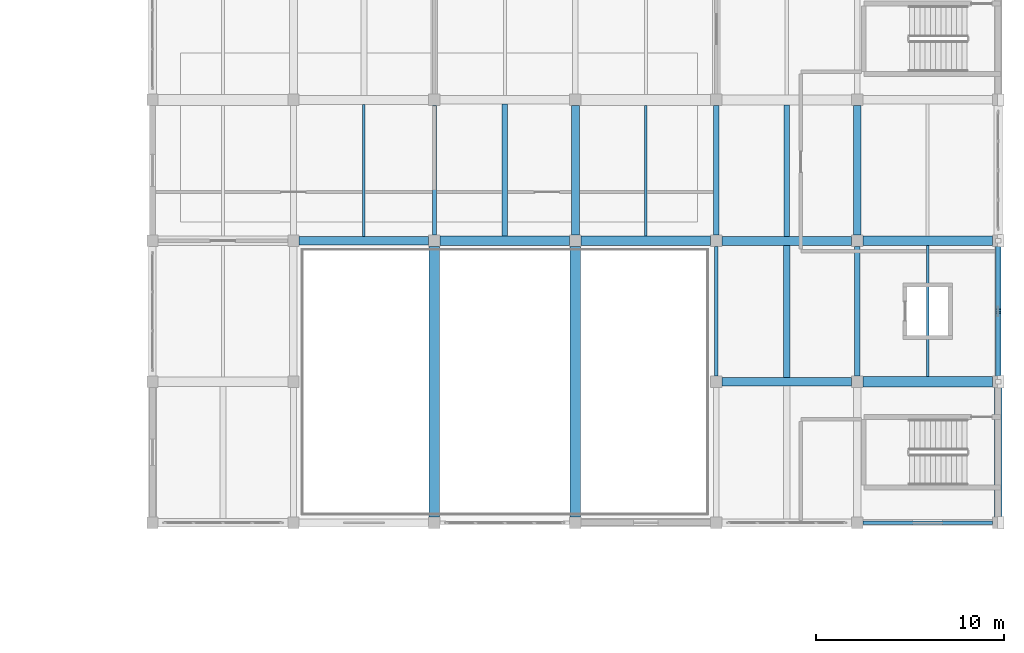
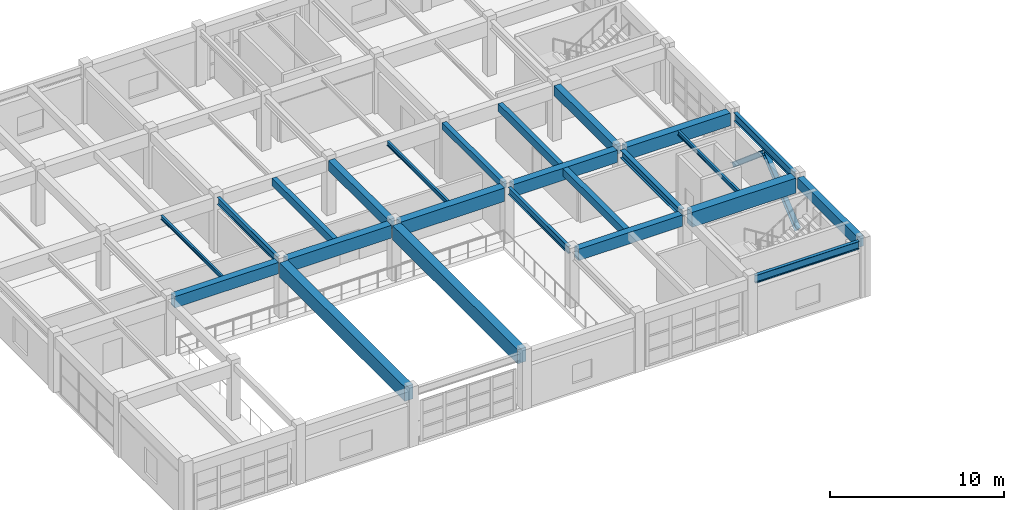
# One storey, part 70 of 124: 24 beams, 2 members.
"""IFC4 building model written with IfcOpenShell, lengths in metres."""

from ifc_helpers import new_model, si_unit, direction, frame, origin, origin_2d, place, context, subcontext, project, spatial, rectangle, i_section, extrude, material, material_profile, profile_set, type_object, element, save


model = new_model("IFC4")

# Units and contexts
model_context = context("Model", 3, precision=1e-05, world=origin(), true_north=direction((0.0, 1.0)))
body_context = subcontext(model_context, "Body", "Model", "MODEL_VIEW")
ifc_project = project(units=[si_unit("LENGTHUNIT", "METRE"), si_unit("AREAUNIT", "SQUARE_METRE"), si_unit("VOLUMEUNIT", "CUBIC_METRE"), si_unit("PLANEANGLEUNIT", "RADIAN"), si_unit("MASSUNIT", "GRAM", prefix="KILO")], contexts=[model_context])

# Site, building, storey
site_placement = place(None, origin())
site = spatial("IfcSite", under=ifc_project, at=site_placement, CompositionType="ELEMENT")
building_placement = place(site_placement, origin())
building = spatial("IfcBuilding", under=site, at=building_placement, Name="Qasida Concert Hall", CompositionType="ELEMENT")
storey_placement = place(building_placement, frame((0.0, 0.0, 9.0)))
storey = spatial("IfcBuildingStorey", under=building, at=storey_placement, Name="L02", CompositionType="ELEMENT", Elevation=9.0)

# Beams
ifc_material_1 = material(Name="Concrete C40/50", Category="concrete")
ifc_material_profile_1 = material_profile(ifc_material_1, rectangle(XDim=0.419921875, YDim=0.699951171875, at=origin_2d()), Name="RC 420x700")
ifc_profile_set_1 = profile_set([ifc_material_profile_1], Name="Concrete C40/50")
beam_type_1 = type_object("IfcBeamType", Name="BM-B11", PredefinedType="BEAM", material=ifc_profile_set_1)
for number, where, z_axis, x_axis, name in (
    (1, (142.5, 90.300048828125, 3.550048828125), (0.0, 1.0, 0.0), (-1.0, 0.0, 0.0), "L02 girder 1398"),
    (2, (157.5, 90.300048828125, 3.550048828125), (0.0, 1.0, 0.0), (-1.0, 0.0, 0.0), "L02 girder 1408"),
):
    element("IfcBeam", number, at=place(storey_placement, frame(where, z_axis=z_axis, x_axis=x_axis)), inside=storey, type_object=beam_type_1, Name=name, PredefinedType="BEAM", context=body_context, shape_type="SweptSolid", body=[
        extrude(rectangle(XDim=0.419921875, YDim=0.699951171875, at=origin_2d()), origin(), (0.0, 0.0, 1.0), 6.89990234375),
    ])
ifc_material_2 = material(Name="Steel S355J2", Category="steel")
ifc_material_profile_2 = material_profile(ifc_material_2, i_section(OverallWidth=0.300048828125, OverallDepth=0.550048828125, WebThickness=0.014892578125, FlangeThickness=0.029052734375, FilletRadius=0.027099609375, at=origin_2d()), Name="HEB 550")
ifc_profile_set_2 = profile_set([ifc_material_profile_2], Name="Steel S355J2")
beam_type_2 = type_object("IfcBeamType", Name="BM-B12", PredefinedType="BEAM", material=ifc_profile_set_2)
beam_1_placement = place(storey_placement, frame((157.5, 82.800048828125, 3.625), z_axis=(0.0, 1.0, 0.0), x_axis=(-1.0, 0.0, 0.0)))
element("IfcBeam", 3, at=beam_1_placement, inside=storey, type_object=beam_type_2, Name="L02 girder 1407", PredefinedType="BEAM", context=body_context, shape_type="SweptSolid", body=[
    extrude(i_section(OverallWidth=0.300048828125, OverallDepth=0.550048828125, WebThickness=0.014892578125, FlangeThickness=0.029052734375, FilletRadius=0.027099609375, at=origin_2d()), origin(), (0.0, 0.0, 1.0), 6.89990234375),
])
ifc_material_profile_3 = material_profile(ifc_material_1, rectangle(XDim=0.300048828125, YDim=0.449951171875, at=origin_2d()), Name="RC 300x450")
ifc_profile_set_3 = profile_set([ifc_material_profile_3], Name="Concrete C40/50")
beam_type_3 = type_object("IfcBeamType", Name="BM-B3", PredefinedType="BEAM", material=ifc_profile_set_3)
beam_2_placement = place(storey_placement, frame((150.0, 90.300048828125, 3.675048828125), z_axis=(0.0, 1.0, 0.0), x_axis=(-1.0, 0.0, 0.0)))
element("IfcBeam", 4, at=beam_2_placement, inside=storey, type_object=beam_type_3, Name="L02 girder 1403", PredefinedType="BEAM", context=body_context, shape_type="SweptSolid", body=[
    extrude(rectangle(XDim=0.300048828125, YDim=0.449951171875, at=origin_2d()), origin(), (0.0, 0.0, 1.0), 6.89990234375),
])
ifc_material_profile_4 = material_profile(ifc_material_2, i_section(OverallWidth=0.199951171875, OverallDepth=0.5, WebThickness=0.01025390625, FlangeThickness=0.01611328125, FilletRadius=0.02099609375, at=origin_2d()), Name="IPE 500")
ifc_profile_set_4 = profile_set([ifc_material_profile_4], Name="Steel S355J2")
beam_type_4 = type_object("IfcBeamType", Name="BM-B4", PredefinedType="BEAM", material=ifc_profile_set_4)
for number, where, z_axis, x_axis, name in (
    (5, (135.0, 90.300048828125, 3.64990234375), (0.0, 1.0, 0.0), (-1.0, 0.0, 0.0), "L02 girder 1394"),
    (6, (150.0, 82.800048828125, 3.64990234375), (0.0, 1.0, 0.0), (-1.0, 0.0, 0.0), "L02 girder 1402"),
):
    element("IfcBeam", number, at=place(storey_placement, frame(where, z_axis=z_axis, x_axis=x_axis)), inside=storey, type_object=beam_type_4, Name=name, PredefinedType="BEAM", context=body_context, shape_type="SweptSolid", body=[
        extrude(i_section(OverallWidth=0.199951171875, OverallDepth=0.5, WebThickness=0.01025390625, FlangeThickness=0.01611328125, FilletRadius=0.02099609375, at=origin_2d()), origin(), (0.0, 0.0, 1.0), 6.89990234375),
    ])
ifc_material_profile_5 = material_profile(ifc_material_1, rectangle(XDim=0.5, YDim=0.89990234375, at=origin_2d()), Name="RC 500x900")
ifc_profile_set_5 = profile_set([ifc_material_profile_5], Name="Concrete C40/50")
beam_type_5 = type_object("IfcBeamType", Name="BM-G1", PredefinedType="USERDEFINED", material=ifc_profile_set_5)
for number, where, z_axis, x_axis, name in (
    (7, (135.300048828125, 90.0, 3.449951171875), (1.0, 0.0, 0.0), (0.0, 1.0, 0.0), "Primary girder 1361"),
    (8, (157.800048828125, 90.0, 3.449951171875), (1.0, 0.0, 0.0), (0.0, 1.0, 0.0), "Primary girder 1364"),
):
    element("IfcBeam", number, at=place(storey_placement, frame(where, z_axis=z_axis, x_axis=x_axis)), inside=storey, type_object=beam_type_5, Name=name, ObjectType="GIRDER", PredefinedType="USERDEFINED", context=body_context, shape_type="SweptSolid", body=[
        extrude(rectangle(XDim=0.5, YDim=0.89990234375, at=origin_2d()), origin(), (0.0, 0.0, 1.0), 6.89990234375),
    ])
ifc_material_profile_6 = material_profile(ifc_material_1, rectangle(XDim=0.449951171875, YDim=0.800048828125, at=origin_2d()), Name="RC 450x800")
ifc_profile_set_6 = profile_set([ifc_material_profile_6], Name="Concrete C40/50")
beam_type_6 = type_object("IfcBeamType", Name="BM-G2", PredefinedType="USERDEFINED", material=ifc_profile_set_6)
for number, where, z_axis, x_axis, name in (
    (9, (150.300048828125, 82.5, 3.5), (1.0, 0.0, 0.0), (0.0, 1.0, 0.0), "Primary girder 1357"),
    (10, (127.800048828125, 90.0, 3.5), (1.0, 0.0, 0.0), (0.0, 1.0, 0.0), "Primary girder 1360"),
):
    element("IfcBeam", number, at=place(storey_placement, frame(where, z_axis=z_axis, x_axis=x_axis)), inside=storey, type_object=beam_type_6, Name=name, ObjectType="GIRDER", PredefinedType="USERDEFINED", context=body_context, shape_type="SweptSolid", body=[
        extrude(rectangle(XDim=0.449951171875, YDim=0.800048828125, at=origin_2d()), origin(), (0.0, 0.0, 1.0), 6.89990234375),
    ])
ifc_material_profile_7 = material_profile(ifc_material_1, rectangle(XDim=0.550048828125, YDim=1.0, at=origin_2d()), Name="RC 550x1000")
ifc_profile_set_7 = profile_set([ifc_material_profile_7], Name="Concrete C40/50")
beam_type_7 = type_object("IfcBeamType", Name="BM-G3", PredefinedType="USERDEFINED", material=ifc_profile_set_7)
for number, where, z_axis, x_axis, name in (
    (11, (135.0, 75.300048828125, 3.39990234375), (0.0, 1.0, 0.0), (-1.0, 0.0, 0.0), "L02 girder 1393"),
    (12, (142.5, 75.300048828125, 3.39990234375), (0.0, 1.0, 0.0), (-1.0, 0.0, 0.0), "L02 girder 1397"),
):
    element("IfcBeam", number, at=place(storey_placement, frame(where, z_axis=z_axis, x_axis=x_axis)), inside=storey, type_object=beam_type_7, Name=name, ObjectType="GIRDER", PredefinedType="USERDEFINED", context=body_context, shape_type="SweptSolid", body=[
        extrude(rectangle(XDim=0.550048828125, YDim=1.0, at=origin_2d()), origin(), (0.0, 0.0, 1.0), 14.39990234375),
    ])
ifc_material_profile_8 = material_profile(ifc_material_1, rectangle(XDim=0.47998046875, YDim=0.85009765625, at=origin_2d()), Name="RC 480x850")
ifc_profile_set_8 = profile_set([ifc_material_profile_8], Name="Concrete C40/50")
beam_type_8 = type_object("IfcBeamType", Name="BM-G6", PredefinedType="USERDEFINED", material=ifc_profile_set_8)
beam_3_placement = place(storey_placement, frame((150.300048828125, 90.0, 3.47509765625), z_axis=(1.0, 0.0, 0.0), x_axis=(0.0, 1.0, 0.0)))
element("IfcBeam", 13, at=beam_3_placement, inside=storey, type_object=beam_type_8, Name="Primary girder 1363", ObjectType="GIRDER", PredefinedType="USERDEFINED", context=body_context, shape_type="SweptSolid", body=[
    extrude(rectangle(XDim=0.47998046875, YDim=0.85009765625, at=origin_2d()), origin(), (0.0, 0.0, 1.0), 6.89990234375),
])
ifc_material_profile_9 = material_profile(ifc_material_1, rectangle(XDim=0.52001953125, YDim=0.949951171875, at=origin_2d()), Name="RC 520x950")
ifc_profile_set_9 = profile_set([ifc_material_profile_9], Name="Concrete C40/50")
beam_type_9 = type_object("IfcBeamType", Name="BM-G7", PredefinedType="USERDEFINED", material=ifc_profile_set_9)
beam_4_placement = place(storey_placement, frame((142.800048828125, 90.0, 3.425048828125), z_axis=(1.0, 0.0, 0.0), x_axis=(0.0, 1.0, 0.0)))
element("IfcBeam", 14, at=beam_4_placement, inside=storey, type_object=beam_type_9, Name="Primary girder 1362", ObjectType="GIRDER", PredefinedType="USERDEFINED", context=body_context, shape_type="SweptSolid", body=[
    extrude(rectangle(XDim=0.52001953125, YDim=0.949951171875, at=origin_2d()), origin(), (0.0, 0.0, 1.0), 6.89990234375),
])
ifc_material_3 = material(Name="Concrete C50/60", Category="concrete")
ifc_material_profile_10 = material_profile(ifc_material_3, rectangle(XDim=0.580078125, YDim=1.050048828125, at=origin_2d()), Name="RC 580x1050")
ifc_profile_set_10 = profile_set([ifc_material_profile_10], Name="Concrete C50/60")
beam_type_10 = type_object("IfcBeamType", Name="BM-G8", PredefinedType="USERDEFINED", material=ifc_profile_set_10)
beam_5_placement = place(storey_placement, frame((157.800048828125, 82.5, 3.375), z_axis=(1.0, 0.0, 0.0), x_axis=(0.0, 1.0, 0.0)))
element("IfcBeam", 15, at=beam_5_placement, inside=storey, type_object=beam_type_10, Name="Primary girder 1358", ObjectType="GIRDER", PredefinedType="USERDEFINED", context=body_context, shape_type="SweptSolid", body=[
    extrude(rectangle(XDim=0.580078125, YDim=1.050048828125, at=origin_2d()), origin(), (0.0, 0.0, 1.0), 6.89990234375),
])
ifc_material_profile_11 = material_profile(ifc_material_1, rectangle(XDim=0.300048828125, YDim=0.550048828125, at=origin_2d()), Name="RC 300x550")
ifc_profile_set_11 = profile_set([ifc_material_profile_11], Name="Concrete C40/50")
beam_type_11 = type_object("IfcBeamType", Name="BM-J1", PredefinedType="JOIST", material=ifc_profile_set_11)
beam_6_placement = place(storey_placement, frame((138.75, 90.25, 3.625), z_axis=(0.0, 1.0, 0.0), x_axis=(-1.0, 0.0, 0.0)))
element("IfcBeam", 16, at=beam_6_placement, inside=storey, type_object=beam_type_11, Name="L02 secondary joist 1424", PredefinedType="JOIST", context=body_context, shape_type="SweptSolid", body=[
    extrude(rectangle(XDim=0.300048828125, YDim=0.550048828125, at=origin_2d()), origin(), (0.0, 0.0, 1.0), 7.02490234375),
])
beam_7_placement = place(storey_placement, frame((153.75, 90.239990234375, 3.625), z_axis=(0.0, 1.0, 0.0), x_axis=(-1.0, 0.0, 0.0)))
element("IfcBeam", 17, at=beam_7_placement, inside=storey, type_object=beam_type_11, Name="L02 secondary joist 1432", PredefinedType="JOIST", context=body_context, shape_type="SweptSolid", body=[
    extrude(rectangle(XDim=0.300048828125, YDim=0.550048828125, at=origin_2d()), origin(), (0.0, 0.0, 1.0), 7.0),
])
ifc_material_profile_12 = material_profile(ifc_material_2, i_section(OverallWidth=0.14990234375, OverallDepth=0.300048828125, WebThickness=0.007080078125, FlangeThickness=0.0107421875, FilletRadius=0.014892578125, at=origin_2d()), Name="IPE 300")
ifc_profile_set_12 = profile_set([ifc_material_profile_12], Name="Steel S355J2")
beam_type_12 = type_object("IfcBeamType", Name="BM-J4", PredefinedType="JOIST", material=ifc_profile_set_12)
beam_8_placement = place(storey_placement, frame((146.25, 90.260009765625, 3.75), z_axis=(0.0, 1.0, 0.0), x_axis=(-1.0, 0.0, 0.0)))
element("IfcBeam", 18, at=beam_8_placement, inside=storey, type_object=beam_type_12, Name="L02 secondary joist 1427", PredefinedType="JOIST", context=body_context, shape_type="SweptSolid", body=[
    extrude(i_section(OverallWidth=0.14990234375, OverallDepth=0.300048828125, WebThickness=0.007080078125, FlangeThickness=0.0107421875, FilletRadius=0.014892578125, at=origin_2d()), origin(), (0.0, 0.0, 1.0), 6.949951171875),
])
beam_9_placement = place(storey_placement, frame((161.25, 82.7900390625, 3.75), z_axis=(0.0, 1.0, 0.0), x_axis=(-1.0, 0.0, 0.0)))
element("IfcBeam", 19, at=beam_9_placement, inside=storey, type_object=beam_type_12, Name="L02 secondary joist 1435", PredefinedType="JOIST", context=body_context, shape_type="SweptSolid", body=[
    extrude(i_section(OverallWidth=0.14990234375, OverallDepth=0.300048828125, WebThickness=0.007080078125, FlangeThickness=0.0107421875, FilletRadius=0.014892578125, at=origin_2d()), origin(), (0.0, 0.0, 1.0), 6.9599609375),
])
ifc_material_profile_13 = material_profile(ifc_material_2, i_section(OverallWidth=0.135009765625, OverallDepth=0.27001953125, WebThickness=0.006591796875, FlangeThickness=0.01025390625, FilletRadius=0.014892578125, at=origin_2d()), Name="IPE 270")
ifc_profile_set_13 = profile_set([ifc_material_profile_13], Name="Steel S355J2")
beam_type_13 = type_object("IfcBeamType", Name="BM-J6", PredefinedType="JOIST", material=ifc_profile_set_13)
beam_10_placement = place(storey_placement, frame((131.25, 90.22509765625, 3.764892578125), z_axis=(0.0, 1.0, 0.0), x_axis=(-1.0, 0.0, 0.0)))
element("IfcBeam", 20, at=beam_10_placement, inside=storey, type_object=beam_type_13, Name="L02 secondary joist 1421", PredefinedType="JOIST", context=body_context, shape_type="SweptSolid", body=[
    extrude(i_section(OverallWidth=0.135009765625, OverallDepth=0.27001953125, WebThickness=0.006591796875, FlangeThickness=0.01025390625, FilletRadius=0.014892578125, at=origin_2d()), origin(), (0.0, 0.0, 1.0), 7.034912109375),
])
ifc_material_profile_14 = material_profile(ifc_material_1, rectangle(XDim=0.35009765625, YDim=0.550048828125, at=origin_2d()), Name="RC 350x550")
ifc_profile_set_14 = profile_set([ifc_material_profile_14], Name="Concrete C40/50")
beam_type_14 = type_object("IfcBeamType", Name="BM-J8", PredefinedType="JOIST", material=ifc_profile_set_14)
beam_11_placement = place(storey_placement, frame((153.75, 82.72509765625, 3.625), z_axis=(0.0, 1.0, 0.0), x_axis=(-1.0, 0.0, 0.0)))
element("IfcBeam", 21, at=beam_11_placement, inside=storey, type_object=beam_type_14, Name="L02 secondary joist 1431", PredefinedType="JOIST", context=body_context, shape_type="SweptSolid", body=[
    extrude(rectangle(XDim=0.35009765625, YDim=0.550048828125, at=origin_2d()), origin(), (0.0, 0.0, 1.0), 7.034912109375),
])
ifc_material_profile_15 = material_profile(ifc_material_1, rectangle(XDim=0.39990234375, YDim=0.75, at=origin_2d()), Name="RC 400x750")
ifc_profile_set_15 = profile_set([ifc_material_profile_15], Name="Concrete C40/50")
beam_type_15 = type_object("IfcBeamType", Name="BM-SP1", PredefinedType="SPANDREL", material=ifc_profile_set_15)
beam_12_placement = place(storey_placement, frame((165.0, 75.300048828125, 3.52490234375), z_axis=(0.0, 1.0, 0.0), x_axis=(-1.0, 0.0, 0.0)))
element("IfcBeam", 22, at=beam_12_placement, inside=storey, type_object=beam_type_15, Name="L02 girder 1411", PredefinedType="SPANDREL", context=body_context, shape_type="SweptSolid", body=[
    extrude(rectangle(XDim=0.39990234375, YDim=0.75, at=origin_2d()), origin(), (0.0, 0.0, 1.0), 6.89990234375),
])
ifc_material_profile_16 = material_profile(ifc_material_2, i_section(OverallWidth=0.2099609375, OverallDepth=0.550048828125, WebThickness=0.010986328125, FlangeThickness=0.01708984375, FilletRadius=0.02392578125, at=origin_2d()), Name="IPE 550")
ifc_profile_set_16 = profile_set([ifc_material_profile_16], Name="Steel S355J2")
beam_type_16 = type_object("IfcBeamType", Name="BM-SP2", PredefinedType="SPANDREL", material=ifc_profile_set_16)
beam_13_placement = place(storey_placement, frame((157.800048828125, 75.0, 3.625), z_axis=(1.0, 0.0, 0.0), x_axis=(0.0, 1.0, 0.0)))
element("IfcBeam", 23, at=beam_13_placement, inside=storey, type_object=beam_type_16, Name="Primary girder 1355", PredefinedType="SPANDREL", context=body_context, shape_type="SweptSolid", body=[
    extrude(i_section(OverallWidth=0.2099609375, OverallDepth=0.550048828125, WebThickness=0.010986328125, FlangeThickness=0.01708984375, FilletRadius=0.02392578125, at=origin_2d()), origin(), (0.0, 0.0, 1.0), 6.89990234375),
])
ifc_material_profile_17 = material_profile(ifc_material_2, i_section(OverallWidth=0.219970703125, OverallDepth=0.60009765625, WebThickness=0.011962890625, FlangeThickness=0.01904296875, FilletRadius=0.02392578125, at=origin_2d()), Name="IPE 600")
ifc_profile_set_17 = profile_set([ifc_material_profile_17], Name="Steel S355J2")
beam_type_17 = type_object("IfcBeamType", Name="BM-SP3", PredefinedType="SPANDREL", material=ifc_profile_set_17)
beam_14_placement = place(storey_placement, frame((165.0, 82.800048828125, 3.60009765625), z_axis=(0.0, 1.0, 0.0), x_axis=(-1.0, 0.0, 0.0)))
element("IfcBeam", 24, at=beam_14_placement, inside=storey, type_object=beam_type_17, Name="L02 girder 1412", PredefinedType="SPANDREL", context=body_context, shape_type="SweptSolid", body=[
    extrude(i_section(OverallWidth=0.219970703125, OverallDepth=0.60009765625, WebThickness=0.011962890625, FlangeThickness=0.01904296875, FilletRadius=0.02392578125, at=origin_2d()), origin(), (0.0, 0.0, 1.0), 6.89990234375),
])

# Members
ifc_material_profile_18 = material_profile(ifc_material_2, i_section(OverallWidth=0.300048828125, OverallDepth=0.340087890625, WebThickness=0.011962890625, FlangeThickness=0.021484375, FilletRadius=0.027099609375, at=origin_2d()), Name="HEB 340")
ifc_profile_set_18 = profile_set([ifc_material_profile_18], Name="Steel S355J2")
member_type = type_object("IfcMemberType", Name="MB-BR13", PredefinedType="BRACE", material=ifc_profile_set_18)
for number, where, z_axis, x_axis, name in (
    (25, (165.0, 82.5, 0.0), (0.0, 0.763703031539, 0.645567718848), (-1.0, 0.0, 0.0), "L02 chevron brace CBF-0053"),
    (26, (165.0, 90.0, 0.0), (0.0, -0.763703031539, 0.645567718848), (1.0, 0.0, 0.0), "L02 chevron brace CBF-0054"),
):
    element("IfcMember", number, at=place(storey_placement, frame(where, z_axis=z_axis, x_axis=x_axis)), inside=storey, type_object=member_type, Name=name, PredefinedType="BRACE", context=body_context, shape_type="SweptSolid", body=[
        extrude(i_section(OverallWidth=0.300048828125, OverallDepth=0.340087890625, WebThickness=0.011962890625, FlangeThickness=0.021484375, FilletRadius=0.027099609375, at=origin_2d()), origin(), (0.0, 0.0, 1.0), 4.910400390625),
    ])

save(model, "model.ifc")
